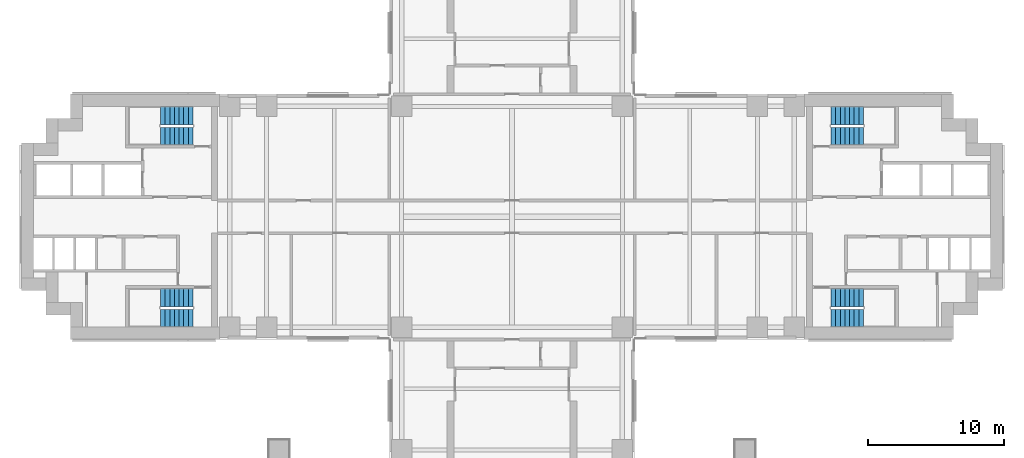
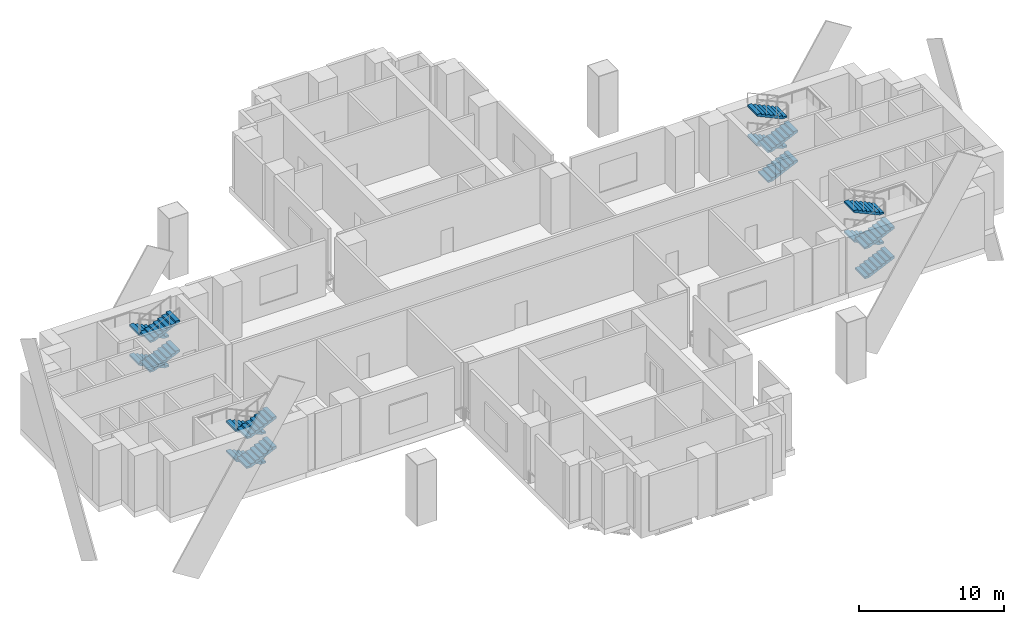
# One storey, part 7 of 10: 16 stair flights, 4 elements without a shape of their own.
"""IFC4 building model written with IfcOpenShell, lengths in metres."""

from ifc_helpers import new_model, si_unit, direction, frame, origin, place, context, subcontext, project, spatial, polyline, outline, extrude, material, type_object, element, aggregate, save


model = new_model("IFC4")

# Units and contexts
model_context = context("Model", 3, precision=1e-05, world=origin(), true_north=direction((0.0, 1.0)))
body_context = subcontext(model_context, "Body", "Model", "MODEL_VIEW")
ifc_project = project(units=[si_unit("LENGTHUNIT", "METRE"), si_unit("AREAUNIT", "SQUARE_METRE"), si_unit("VOLUMEUNIT", "CUBIC_METRE"), si_unit("PLANEANGLEUNIT", "RADIAN"), si_unit("MASSUNIT", "GRAM", prefix="KILO")], contexts=[model_context])

# Site, building, storey
site_placement = place(None, origin())
site = spatial("IfcSite", under=ifc_project, at=site_placement, CompositionType="ELEMENT")
building_placement = place(site_placement, origin())
building = spatial("IfcBuilding", under=site, at=building_placement, Name="Perihelion Cross Residences", CompositionType="ELEMENT")
storey_placement = place(building_placement, frame((0.0, 0.0, 27.0)))
storey = spatial("IfcBuildingStorey", under=building, at=storey_placement, Name="L03", CompositionType="ELEMENT", Elevation=27.0)

# Stair, stair flights
ifc_material_1 = material(Name="Concrete C40/50", Category="concrete")
stair_type = type_object("IfcStairType", Name="Exit stair, half-turn", PredefinedType="HALF_TURN_STAIR", material=ifc_material_1)
stair_1_placement = place(storey_placement, origin())
stair_1 = element("IfcStair", 1, at=stair_1_placement, inside=storey, type_object=stair_type, Name="L03 East core exit stair 1", PredefinedType="HALF_TURN_STAIR")
ifc_material_2 = material(Name="Concrete C40/50", Category="concrete")
stair_flight_type = type_object("IfcStairFlightType", Name="Exit stair flight", PredefinedType="STRAIGHT", material=ifc_material_2)
stair_flight_1_placement = place(storey_placement, frame((23.39990234375, 5.925048828125, 0.0), z_axis=(0.0, 0.0, 1.0), x_axis=(1.0, 0.0, 0.0)))
stair_flight_1 = element("IfcStairFlight", 2, at=stair_flight_1_placement, type_object=stair_flight_type, Name="ST-E1 flight 1", NumberOfRisers=8, NumberOfTreads=7, PredefinedType="STRAIGHT", RiserHeight=0.15625, TreadLength=0.34, context=body_context, shape_type="SweptSolid", body=[
    extrude(outline(polyline([(0.0, 0.0), (0.0, 0.15625), (0.340087890625, 0.15625), (0.340087890625, 0.3125), (0.679931640625, 0.3125), (0.679931640625, 0.46875), (1.02001953125, 0.46875), (1.02001953125, 0.625), (1.360107421875, 0.625), (1.360107421875, 0.78125), (1.699951171875, 0.78125), (1.699951171875, 0.9375), (2.0400390625, 0.9375), (2.0400390625, 1.09375), (2.3798828125, 1.09375), (2.3798828125, 1.25), (2.3798828125, 0.9287109375), (0.35888671875, 0.0), (0.0, 0.0)])), frame((0.0, 0.675048828125, 0.0), z_axis=(0.0, -1.0, 0.0), x_axis=(1.0, 0.0, 0.0)), (0.0, 0.0, 1.0), 1.35009765625),
])
stair_flight_2_placement = place(storey_placement, frame((25.780029296875, 7.425048828125, 1.25), z_axis=(0.0, 0.0, 1.0), x_axis=(-1.0, 0.0, 0.0)))
stair_flight_2 = element("IfcStairFlight", 3, at=stair_flight_2_placement, type_object=stair_flight_type, Name="ST-E1 flight 2", NumberOfRisers=8, NumberOfTreads=7, PredefinedType="STRAIGHT", RiserHeight=0.15625, TreadLength=0.34, context=body_context, shape_type="SweptSolid", body=[
    extrude(outline(polyline([(0.0, 0.0), (0.0, 0.15625), (0.340087890625, 0.15625), (0.340087890625, 0.3125), (0.679931640625, 0.3125), (0.679931640625, 0.46875), (1.02001953125, 0.46875), (1.02001953125, 0.625), (1.360107421875, 0.625), (1.360107421875, 0.78125), (1.699951171875, 0.78125), (1.699951171875, 0.9375), (2.0400390625, 0.9375), (2.0400390625, 1.09375), (2.3798828125, 1.09375), (2.3798828125, 1.25), (2.3798828125, 0.9287109375), (0.35888671875, 0.0), (0.0, 0.0)])), frame((0.0, 0.675048828125, 0.0), z_axis=(0.0, -1.0, 0.0), x_axis=(1.0, 0.0, 0.0)), (0.0, 0.0, 1.0), 1.35009765625),
])
stair_flight_3_placement = place(storey_placement, frame((23.39990234375, 5.925048828125, 2.5), z_axis=(0.0, 0.0, 1.0), x_axis=(1.0, 0.0, 0.0)))
stair_flight_3 = element("IfcStairFlight", 4, at=stair_flight_3_placement, type_object=stair_flight_type, Name="ST-E1 flight 3", NumberOfRisers=8, NumberOfTreads=7, PredefinedType="STRAIGHT", RiserHeight=0.15625, TreadLength=0.34, context=body_context, shape_type="SweptSolid", body=[
    extrude(outline(polyline([(0.0, 0.0), (0.0, 0.15625), (0.340087890625, 0.15625), (0.340087890625, 0.3125), (0.679931640625, 0.3125), (0.679931640625, 0.46875), (1.02001953125, 0.46875), (1.02001953125, 0.625), (1.360107421875, 0.625), (1.360107421875, 0.78125), (1.699951171875, 0.78125), (1.699951171875, 0.9375), (2.0400390625, 0.9375), (2.0400390625, 1.09375), (2.3798828125, 1.09375), (2.3798828125, 1.25), (2.3798828125, 0.9287109375), (0.35888671875, 0.0), (0.0, 0.0)])), frame((0.0, 0.675048828125, 0.0), z_axis=(0.0, -1.0, 0.0), x_axis=(1.0, 0.0, 0.0)), (0.0, 0.0, 1.0), 1.35009765625),
])
stair_flight_4_placement = place(storey_placement, frame((25.780029296875, 7.425048828125, 3.75), z_axis=(0.0, 0.0, 1.0), x_axis=(-1.0, 0.0, 0.0)))
stair_flight_4 = element("IfcStairFlight", 5, at=stair_flight_4_placement, type_object=stair_flight_type, Name="ST-E1 flight 4", NumberOfRisers=8, NumberOfTreads=7, PredefinedType="STRAIGHT", RiserHeight=0.15625, TreadLength=0.34, context=body_context, shape_type="SweptSolid", body=[
    extrude(outline(polyline([(0.0, 0.0), (0.0, 0.15625), (0.340087890625, 0.15625), (0.340087890625, 0.3125), (0.679931640625, 0.3125), (0.679931640625, 0.46875), (1.02001953125, 0.46875), (1.02001953125, 0.625), (1.360107421875, 0.625), (1.360107421875, 0.78125), (1.699951171875, 0.78125), (1.699951171875, 0.9375), (2.0400390625, 0.9375), (2.0400390625, 1.09375), (2.3798828125, 1.09375), (2.3798828125, 1.25), (2.3798828125, 0.9287109375), (0.35888671875, 0.0), (0.0, 0.0)])), frame((0.0, 0.675048828125, 0.0), z_axis=(0.0, -1.0, 0.0), x_axis=(1.0, 0.0, 0.0)), (0.0, 0.0, 1.0), 1.35009765625),
])
aggregate(stair_1, [stair_flight_1, stair_flight_2, stair_flight_3, stair_flight_4])

stair_2_placement = place(storey_placement, origin())
stair_2 = element("IfcStair", 6, at=stair_2_placement, inside=storey, type_object=stair_type, Name="L03 East core exit stair 2", PredefinedType="HALF_TURN_STAIR")
stair_flight_5_placement = place(storey_placement, frame((23.39990234375, -7.425048828125, 0.0), z_axis=(0.0, 0.0, 1.0), x_axis=(1.0, 0.0, 0.0)))
stair_flight_5 = element("IfcStairFlight", 7, at=stair_flight_5_placement, type_object=stair_flight_type, Name="ST-E2 flight 1", NumberOfRisers=8, NumberOfTreads=7, PredefinedType="STRAIGHT", RiserHeight=0.15625, TreadLength=0.34, context=body_context, shape_type="SweptSolid", body=[
    extrude(outline(polyline([(0.0, 0.0), (0.0, 0.15625), (0.340087890625, 0.15625), (0.340087890625, 0.3125), (0.679931640625, 0.3125), (0.679931640625, 0.46875), (1.02001953125, 0.46875), (1.02001953125, 0.625), (1.360107421875, 0.625), (1.360107421875, 0.78125), (1.699951171875, 0.78125), (1.699951171875, 0.9375), (2.0400390625, 0.9375), (2.0400390625, 1.09375), (2.3798828125, 1.09375), (2.3798828125, 1.25), (2.3798828125, 0.9287109375), (0.35888671875, 0.0), (0.0, 0.0)])), frame((0.0, 0.675048828125, 0.0), z_axis=(0.0, -1.0, 0.0), x_axis=(1.0, 0.0, 0.0)), (0.0, 0.0, 1.0), 1.35009765625),
])
stair_flight_6_placement = place(storey_placement, frame((25.780029296875, -5.925048828125, 1.25), z_axis=(0.0, 0.0, 1.0), x_axis=(-1.0, 0.0, 0.0)))
stair_flight_6 = element("IfcStairFlight", 8, at=stair_flight_6_placement, type_object=stair_flight_type, Name="ST-E2 flight 2", NumberOfRisers=8, NumberOfTreads=7, PredefinedType="STRAIGHT", RiserHeight=0.15625, TreadLength=0.34, context=body_context, shape_type="SweptSolid", body=[
    extrude(outline(polyline([(0.0, 0.0), (0.0, 0.15625), (0.340087890625, 0.15625), (0.340087890625, 0.3125), (0.679931640625, 0.3125), (0.679931640625, 0.46875), (1.02001953125, 0.46875), (1.02001953125, 0.625), (1.360107421875, 0.625), (1.360107421875, 0.78125), (1.699951171875, 0.78125), (1.699951171875, 0.9375), (2.0400390625, 0.9375), (2.0400390625, 1.09375), (2.3798828125, 1.09375), (2.3798828125, 1.25), (2.3798828125, 0.9287109375), (0.35888671875, 0.0), (0.0, 0.0)])), frame((0.0, 0.675048828125, 0.0), z_axis=(0.0, -1.0, 0.0), x_axis=(1.0, 0.0, 0.0)), (0.0, 0.0, 1.0), 1.35009765625),
])
stair_flight_7_placement = place(storey_placement, frame((23.39990234375, -7.425048828125, 2.5), z_axis=(0.0, 0.0, 1.0), x_axis=(1.0, 0.0, 0.0)))
stair_flight_7 = element("IfcStairFlight", 9, at=stair_flight_7_placement, type_object=stair_flight_type, Name="ST-E2 flight 3", NumberOfRisers=8, NumberOfTreads=7, PredefinedType="STRAIGHT", RiserHeight=0.15625, TreadLength=0.34, context=body_context, shape_type="SweptSolid", body=[
    extrude(outline(polyline([(0.0, 0.0), (0.0, 0.15625), (0.340087890625, 0.15625), (0.340087890625, 0.3125), (0.679931640625, 0.3125), (0.679931640625, 0.46875), (1.02001953125, 0.46875), (1.02001953125, 0.625), (1.360107421875, 0.625), (1.360107421875, 0.78125), (1.699951171875, 0.78125), (1.699951171875, 0.9375), (2.0400390625, 0.9375), (2.0400390625, 1.09375), (2.3798828125, 1.09375), (2.3798828125, 1.25), (2.3798828125, 0.9287109375), (0.35888671875, 0.0), (0.0, 0.0)])), frame((0.0, 0.675048828125, 0.0), z_axis=(0.0, -1.0, 0.0), x_axis=(1.0, 0.0, 0.0)), (0.0, 0.0, 1.0), 1.35009765625),
])
stair_flight_8_placement = place(storey_placement, frame((25.780029296875, -5.925048828125, 3.75), z_axis=(0.0, 0.0, 1.0), x_axis=(-1.0, 0.0, 0.0)))
stair_flight_8 = element("IfcStairFlight", 10, at=stair_flight_8_placement, type_object=stair_flight_type, Name="ST-E2 flight 4", NumberOfRisers=8, NumberOfTreads=7, PredefinedType="STRAIGHT", RiserHeight=0.15625, TreadLength=0.34, context=body_context, shape_type="SweptSolid", body=[
    extrude(outline(polyline([(0.0, 0.0), (0.0, 0.15625), (0.340087890625, 0.15625), (0.340087890625, 0.3125), (0.679931640625, 0.3125), (0.679931640625, 0.46875), (1.02001953125, 0.46875), (1.02001953125, 0.625), (1.360107421875, 0.625), (1.360107421875, 0.78125), (1.699951171875, 0.78125), (1.699951171875, 0.9375), (2.0400390625, 0.9375), (2.0400390625, 1.09375), (2.3798828125, 1.09375), (2.3798828125, 1.25), (2.3798828125, 0.9287109375), (0.35888671875, 0.0), (0.0, 0.0)])), frame((0.0, 0.675048828125, 0.0), z_axis=(0.0, -1.0, 0.0), x_axis=(1.0, 0.0, 0.0)), (0.0, 0.0, 1.0), 1.35009765625),
])
aggregate(stair_2, [stair_flight_5, stair_flight_6, stair_flight_7, stair_flight_8])

stair_3_placement = place(storey_placement, origin())
stair_3 = element("IfcStair", 11, at=stair_3_placement, inside=storey, type_object=stair_type, Name="L03 West core exit stair 1", PredefinedType="HALF_TURN_STAIR")
stair_flight_9_placement = place(storey_placement, frame((-23.39990234375, 7.425048828125, 0.0), z_axis=(0.0, 0.0, 1.0), x_axis=(-1.0, 0.0, 0.0)))
stair_flight_9 = element("IfcStairFlight", 12, at=stair_flight_9_placement, type_object=stair_flight_type, Name="ST-W1 flight 1", NumberOfRisers=8, NumberOfTreads=7, PredefinedType="STRAIGHT", RiserHeight=0.15625, TreadLength=0.34, context=body_context, shape_type="SweptSolid", body=[
    extrude(outline(polyline([(0.0, 0.0), (0.0, 0.15625), (0.340087890625, 0.15625), (0.340087890625, 0.3125), (0.679931640625, 0.3125), (0.679931640625, 0.46875), (1.02001953125, 0.46875), (1.02001953125, 0.625), (1.360107421875, 0.625), (1.360107421875, 0.78125), (1.699951171875, 0.78125), (1.699951171875, 0.9375), (2.0400390625, 0.9375), (2.0400390625, 1.09375), (2.3798828125, 1.09375), (2.3798828125, 1.25), (2.3798828125, 0.9287109375), (0.35888671875, 0.0), (0.0, 0.0)])), frame((0.0, 0.675048828125, 0.0), z_axis=(0.0, -1.0, 0.0), x_axis=(1.0, 0.0, 0.0)), (0.0, 0.0, 1.0), 1.35009765625),
])
stair_flight_10_placement = place(storey_placement, frame((-25.780029296875, 5.925048828125, 1.25), z_axis=(0.0, 0.0, 1.0), x_axis=(1.0, 0.0, 0.0)))
stair_flight_10 = element("IfcStairFlight", 13, at=stair_flight_10_placement, type_object=stair_flight_type, Name="ST-W1 flight 2", NumberOfRisers=8, NumberOfTreads=7, PredefinedType="STRAIGHT", RiserHeight=0.15625, TreadLength=0.34, context=body_context, shape_type="SweptSolid", body=[
    extrude(outline(polyline([(0.0, 0.0), (0.0, 0.15625), (0.340087890625, 0.15625), (0.340087890625, 0.3125), (0.679931640625, 0.3125), (0.679931640625, 0.46875), (1.02001953125, 0.46875), (1.02001953125, 0.625), (1.360107421875, 0.625), (1.360107421875, 0.78125), (1.699951171875, 0.78125), (1.699951171875, 0.9375), (2.0400390625, 0.9375), (2.0400390625, 1.09375), (2.3798828125, 1.09375), (2.3798828125, 1.25), (2.3798828125, 0.9287109375), (0.35888671875, 0.0), (0.0, 0.0)])), frame((0.0, 0.675048828125, 0.0), z_axis=(0.0, -1.0, 0.0), x_axis=(1.0, 0.0, 0.0)), (0.0, 0.0, 1.0), 1.35009765625),
])
stair_flight_11_placement = place(storey_placement, frame((-23.39990234375, 7.425048828125, 2.5), z_axis=(0.0, 0.0, 1.0), x_axis=(-1.0, 0.0, 0.0)))
stair_flight_11 = element("IfcStairFlight", 14, at=stair_flight_11_placement, type_object=stair_flight_type, Name="ST-W1 flight 3", NumberOfRisers=8, NumberOfTreads=7, PredefinedType="STRAIGHT", RiserHeight=0.15625, TreadLength=0.34, context=body_context, shape_type="SweptSolid", body=[
    extrude(outline(polyline([(0.0, 0.0), (0.0, 0.15625), (0.340087890625, 0.15625), (0.340087890625, 0.3125), (0.679931640625, 0.3125), (0.679931640625, 0.46875), (1.02001953125, 0.46875), (1.02001953125, 0.625), (1.360107421875, 0.625), (1.360107421875, 0.78125), (1.699951171875, 0.78125), (1.699951171875, 0.9375), (2.0400390625, 0.9375), (2.0400390625, 1.09375), (2.3798828125, 1.09375), (2.3798828125, 1.25), (2.3798828125, 0.9287109375), (0.35888671875, 0.0), (0.0, 0.0)])), frame((0.0, 0.675048828125, 0.0), z_axis=(0.0, -1.0, 0.0), x_axis=(1.0, 0.0, 0.0)), (0.0, 0.0, 1.0), 1.35009765625),
])
stair_flight_12_placement = place(storey_placement, frame((-25.780029296875, 5.925048828125, 3.75), z_axis=(0.0, 0.0, 1.0), x_axis=(1.0, 0.0, 0.0)))
stair_flight_12 = element("IfcStairFlight", 15, at=stair_flight_12_placement, type_object=stair_flight_type, Name="ST-W1 flight 4", NumberOfRisers=8, NumberOfTreads=7, PredefinedType="STRAIGHT", RiserHeight=0.15625, TreadLength=0.34, context=body_context, shape_type="SweptSolid", body=[
    extrude(outline(polyline([(0.0, 0.0), (0.0, 0.15625), (0.340087890625, 0.15625), (0.340087890625, 0.3125), (0.679931640625, 0.3125), (0.679931640625, 0.46875), (1.02001953125, 0.46875), (1.02001953125, 0.625), (1.360107421875, 0.625), (1.360107421875, 0.78125), (1.699951171875, 0.78125), (1.699951171875, 0.9375), (2.0400390625, 0.9375), (2.0400390625, 1.09375), (2.3798828125, 1.09375), (2.3798828125, 1.25), (2.3798828125, 0.9287109375), (0.35888671875, 0.0), (0.0, 0.0)])), frame((0.0, 0.675048828125, 0.0), z_axis=(0.0, -1.0, 0.0), x_axis=(1.0, 0.0, 0.0)), (0.0, 0.0, 1.0), 1.35009765625),
])
aggregate(stair_3, [stair_flight_9, stair_flight_10, stair_flight_11, stair_flight_12])

stair_4_placement = place(storey_placement, origin())
stair_4 = element("IfcStair", 16, at=stair_4_placement, inside=storey, type_object=stair_type, Name="L03 West core exit stair 2", PredefinedType="HALF_TURN_STAIR")
stair_flight_13_placement = place(storey_placement, frame((-23.39990234375, -5.925048828125, 0.0), z_axis=(0.0, 0.0, 1.0), x_axis=(-1.0, 0.0, 0.0)))
stair_flight_13 = element("IfcStairFlight", 17, at=stair_flight_13_placement, type_object=stair_flight_type, Name="ST-W2 flight 1", NumberOfRisers=8, NumberOfTreads=7, PredefinedType="STRAIGHT", RiserHeight=0.15625, TreadLength=0.34, context=body_context, shape_type="SweptSolid", body=[
    extrude(outline(polyline([(0.0, 0.0), (0.0, 0.15625), (0.340087890625, 0.15625), (0.340087890625, 0.3125), (0.679931640625, 0.3125), (0.679931640625, 0.46875), (1.02001953125, 0.46875), (1.02001953125, 0.625), (1.360107421875, 0.625), (1.360107421875, 0.78125), (1.699951171875, 0.78125), (1.699951171875, 0.9375), (2.0400390625, 0.9375), (2.0400390625, 1.09375), (2.3798828125, 1.09375), (2.3798828125, 1.25), (2.3798828125, 0.9287109375), (0.35888671875, 0.0), (0.0, 0.0)])), frame((0.0, 0.675048828125, 0.0), z_axis=(0.0, -1.0, 0.0), x_axis=(1.0, 0.0, 0.0)), (0.0, 0.0, 1.0), 1.35009765625),
])
stair_flight_14_placement = place(storey_placement, frame((-25.780029296875, -7.425048828125, 1.25), z_axis=(0.0, 0.0, 1.0), x_axis=(1.0, 0.0, 0.0)))
stair_flight_14 = element("IfcStairFlight", 18, at=stair_flight_14_placement, type_object=stair_flight_type, Name="ST-W2 flight 2", NumberOfRisers=8, NumberOfTreads=7, PredefinedType="STRAIGHT", RiserHeight=0.15625, TreadLength=0.34, context=body_context, shape_type="SweptSolid", body=[
    extrude(outline(polyline([(0.0, 0.0), (0.0, 0.15625), (0.340087890625, 0.15625), (0.340087890625, 0.3125), (0.679931640625, 0.3125), (0.679931640625, 0.46875), (1.02001953125, 0.46875), (1.02001953125, 0.625), (1.360107421875, 0.625), (1.360107421875, 0.78125), (1.699951171875, 0.78125), (1.699951171875, 0.9375), (2.0400390625, 0.9375), (2.0400390625, 1.09375), (2.3798828125, 1.09375), (2.3798828125, 1.25), (2.3798828125, 0.9287109375), (0.35888671875, 0.0), (0.0, 0.0)])), frame((0.0, 0.675048828125, 0.0), z_axis=(0.0, -1.0, 0.0), x_axis=(1.0, 0.0, 0.0)), (0.0, 0.0, 1.0), 1.35009765625),
])
stair_flight_15_placement = place(storey_placement, frame((-23.39990234375, -5.925048828125, 2.5), z_axis=(0.0, 0.0, 1.0), x_axis=(-1.0, 0.0, 0.0)))
stair_flight_15 = element("IfcStairFlight", 19, at=stair_flight_15_placement, type_object=stair_flight_type, Name="ST-W2 flight 3", NumberOfRisers=8, NumberOfTreads=7, PredefinedType="STRAIGHT", RiserHeight=0.15625, TreadLength=0.34, context=body_context, shape_type="SweptSolid", body=[
    extrude(outline(polyline([(0.0, 0.0), (0.0, 0.15625), (0.340087890625, 0.15625), (0.340087890625, 0.3125), (0.679931640625, 0.3125), (0.679931640625, 0.46875), (1.02001953125, 0.46875), (1.02001953125, 0.625), (1.360107421875, 0.625), (1.360107421875, 0.78125), (1.699951171875, 0.78125), (1.699951171875, 0.9375), (2.0400390625, 0.9375), (2.0400390625, 1.09375), (2.3798828125, 1.09375), (2.3798828125, 1.25), (2.3798828125, 0.9287109375), (0.35888671875, 0.0), (0.0, 0.0)])), frame((0.0, 0.675048828125, 0.0), z_axis=(0.0, -1.0, 0.0), x_axis=(1.0, 0.0, 0.0)), (0.0, 0.0, 1.0), 1.35009765625),
])
stair_flight_16_placement = place(storey_placement, frame((-25.780029296875, -7.425048828125, 3.75), z_axis=(0.0, 0.0, 1.0), x_axis=(1.0, 0.0, 0.0)))
stair_flight_16 = element("IfcStairFlight", 20, at=stair_flight_16_placement, type_object=stair_flight_type, Name="ST-W2 flight 4", NumberOfRisers=8, NumberOfTreads=7, PredefinedType="STRAIGHT", RiserHeight=0.15625, TreadLength=0.34, context=body_context, shape_type="SweptSolid", body=[
    extrude(outline(polyline([(0.0, 0.0), (0.0, 0.15625), (0.340087890625, 0.15625), (0.340087890625, 0.3125), (0.679931640625, 0.3125), (0.679931640625, 0.46875), (1.02001953125, 0.46875), (1.02001953125, 0.625), (1.360107421875, 0.625), (1.360107421875, 0.78125), (1.699951171875, 0.78125), (1.699951171875, 0.9375), (2.0400390625, 0.9375), (2.0400390625, 1.09375), (2.3798828125, 1.09375), (2.3798828125, 1.25), (2.3798828125, 0.9287109375), (0.35888671875, 0.0), (0.0, 0.0)])), frame((0.0, 0.675048828125, 0.0), z_axis=(0.0, -1.0, 0.0), x_axis=(1.0, 0.0, 0.0)), (0.0, 0.0, 1.0), 1.35009765625),
])
aggregate(stair_4, [stair_flight_13, stair_flight_14, stair_flight_15, stair_flight_16])

save(model, "model.ifc")
